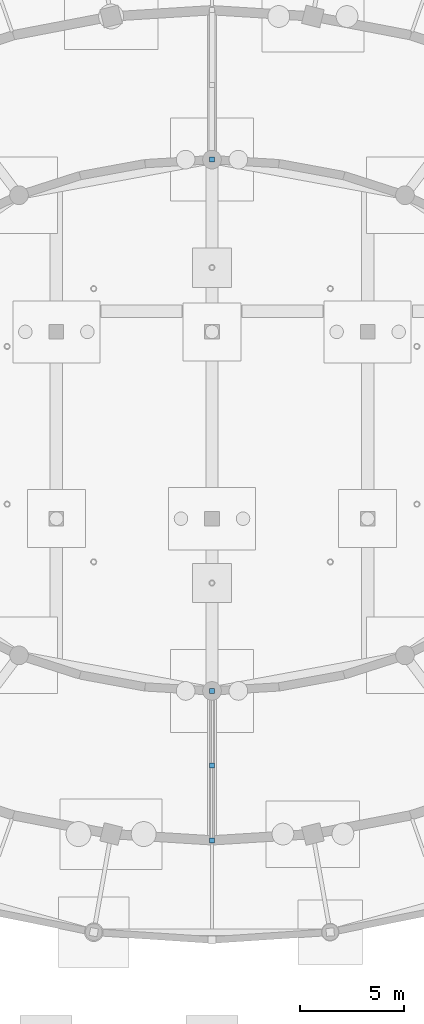
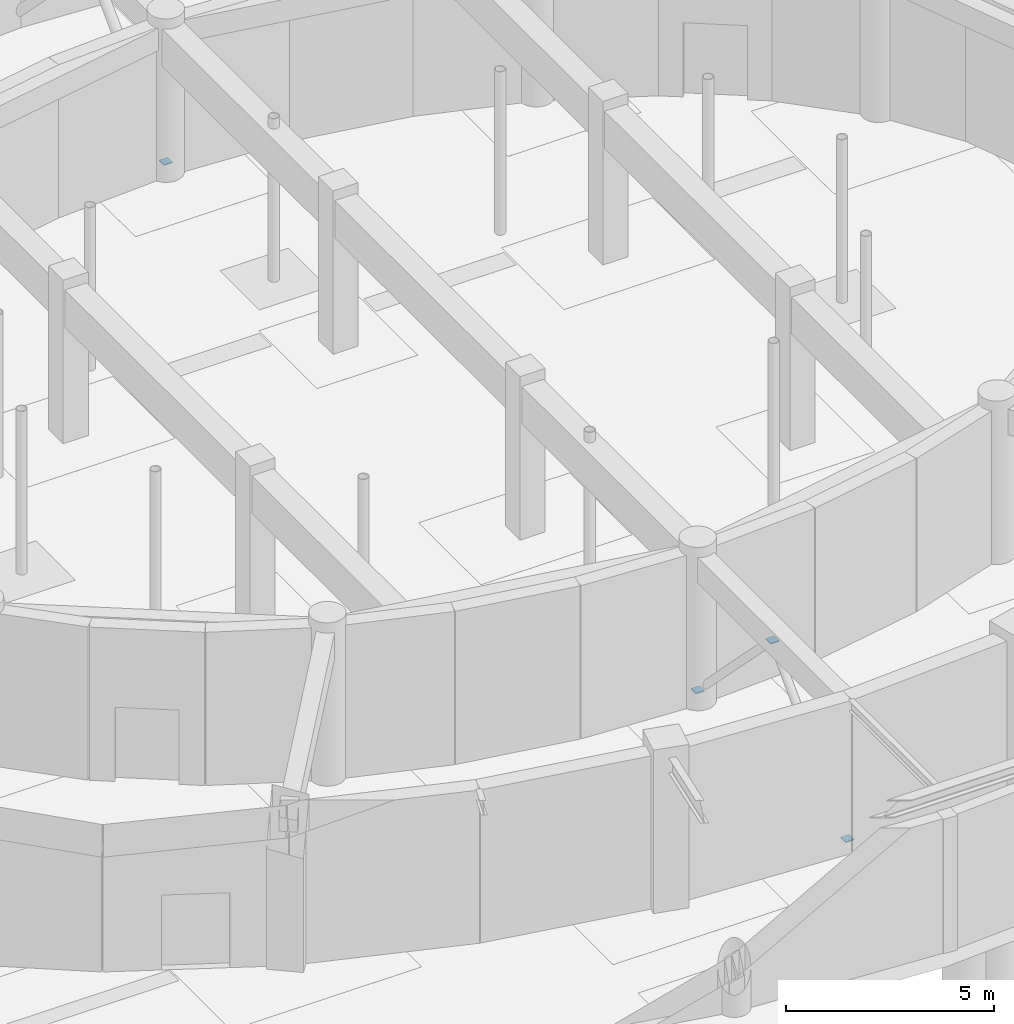
# One storey, part 30 of 42: 4 discrete accessories.
"""IFC4 building model written with IfcOpenShell, lengths in metres."""

from ifc_helpers import new_model, si_unit, direction, frame, origin, origin_2d, place, context, subcontext, project, spatial, rectangle, extrude, material, type_object, element, save


model = new_model("IFC4")

# Units and contexts
model_context = context("Model", 3, precision=1e-05, world=origin(), true_north=direction((0.0, 1.0)))
body_context = subcontext(model_context, "Body", "Model", "MODEL_VIEW")
ifc_project = project(units=[si_unit("LENGTHUNIT", "METRE"), si_unit("AREAUNIT", "SQUARE_METRE"), si_unit("VOLUMEUNIT", "CUBIC_METRE"), si_unit("PLANEANGLEUNIT", "RADIAN"), si_unit("MASSUNIT", "GRAM", prefix="KILO")], contexts=[model_context])

# Site, building, storey
site_placement = place(None, origin())
site = spatial("IfcSite", under=ifc_project, at=site_placement, CompositionType="ELEMENT")
building_placement = place(site_placement, origin())
building = spatial("IfcBuilding", under=site, at=building_placement, Name="Tarnveldt Headland Concert Hall", CompositionType="ELEMENT")
storey_placement = place(building_placement, frame((0.0, 0.0, -4.800048828125)))
storey = spatial("IfcBuildingStorey", under=building, at=storey_placement, Name="B1", CompositionType="ELEMENT", Elevation=-4.800048828125)

# Discrete accessories
ifc_material = material(Name="Steel S355", Category="steel")
discrete_accessory_type = type_object("IfcDiscreteAccessoryType", Name="DA-GUS25", PredefinedType="BRACKET", material=ifc_material)
for number, where, z_axis, x_axis, name in (
    (1, (83.5, 67.300048828125, 0.28759765625), (0.0, 0.0, 1.0), (1.0, 0.0, 0.0), "Bolted brace gusset connection 12"),
    (2, (83.5, 41.699951171875, 0.28759765625), (0.0, 0.0, 1.0), (1.0, 0.0, 0.0), "Bolted brace gusset connection 15"),
    (3, (83.5, 34.5, 0.28759765625), (0.0, 0.0, 1.0), (1.0, 0.0, 0.0), "Bolted brace gusset connection 16"),
    (4, (83.5, 38.10009765625, 3.9375), (0.0, 0.0, 1.0), (1.0, 0.0, 0.0), "Bolted brace gusset connection 17"),
):
    element("IfcDiscreteAccessory", number, at=place(storey_placement, frame(where, z_axis=z_axis, x_axis=x_axis)), inside=storey, type_object=discrete_accessory_type, Name=name, PredefinedType="BRACKET", context=body_context, shape_type="SweptSolid", body=[
        extrude(rectangle(XDim=0.239990234375, YDim=0.239990234375, at=origin_2d()), origin(), (0.0, 0.0, 1.0), 0.02490234375),
    ])

save(model, "model.ifc")
